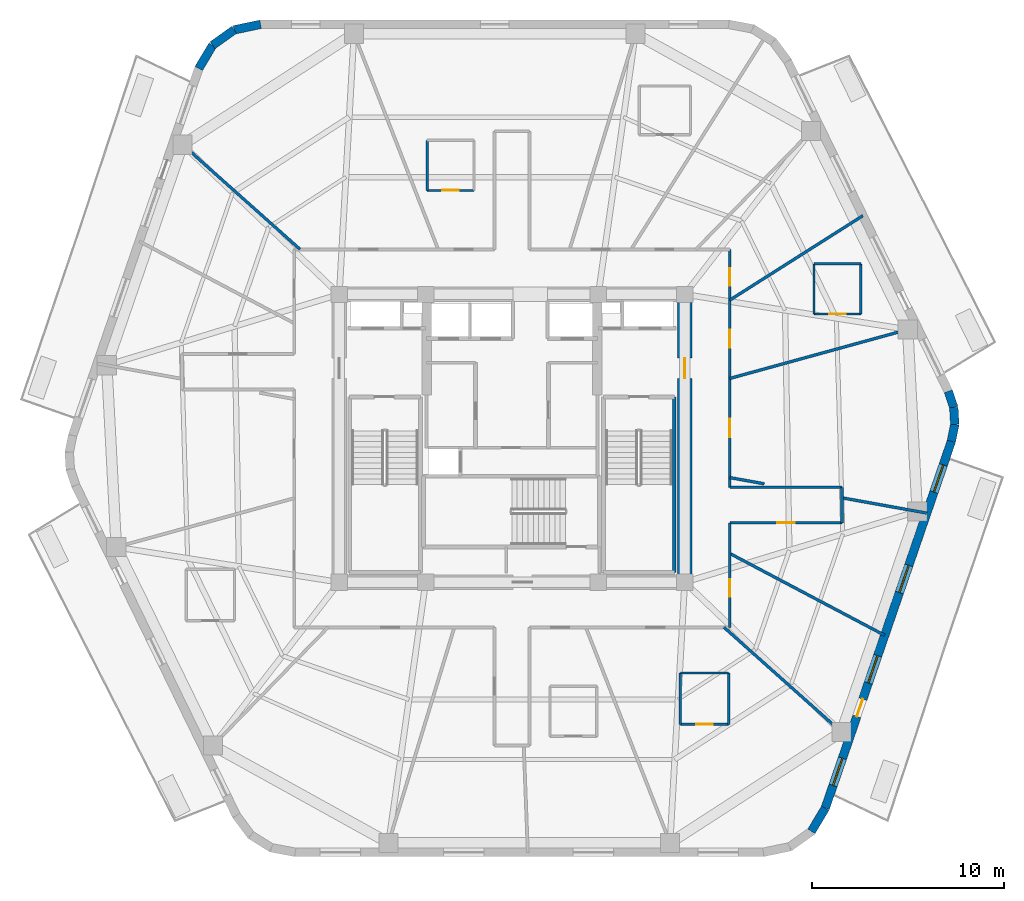
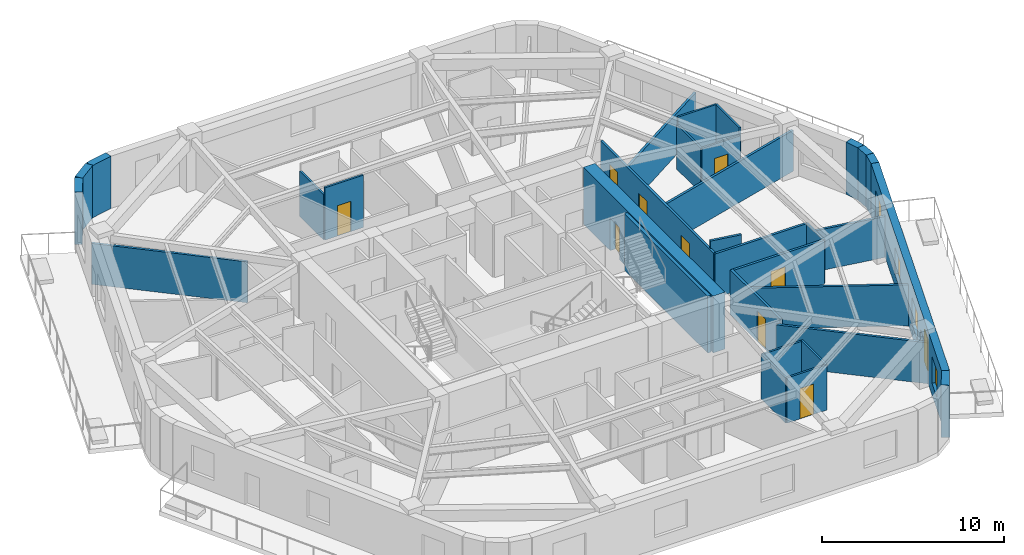
# One storey, part 5 of 9: 32 walls, 10 doors, 4 windows, 14 openings.
"""IFC4 building model written with IfcOpenShell, lengths in metres."""

from ifc_helpers import new_model, si_unit, direction, frame, frame_2d, origin, place, context, subcontext, project, spatial, rectangle, extrude, material, layer, layer_set, type_object, element, fill, save


model = new_model("IFC4")

# Units and contexts
model_context = context("Model", 3, precision=1e-05, world=origin(), true_north=direction((0.0, 1.0)))
body_context = subcontext(model_context, "Body", "Model", "MODEL_VIEW")
ifc_project = project(units=[si_unit("LENGTHUNIT", "METRE"), si_unit("AREAUNIT", "SQUARE_METRE"), si_unit("VOLUMEUNIT", "CUBIC_METRE"), si_unit("PLANEANGLEUNIT", "RADIAN"), si_unit("MASSUNIT", "GRAM", prefix="KILO")], contexts=[model_context])

# Site, building, storey
site_placement = place(None, origin())
site = spatial("IfcSite", under=ifc_project, at=site_placement, CompositionType="ELEMENT")
building_placement = place(site_placement, origin())
building = spatial("IfcBuilding", under=site, at=building_placement, Name="Kilnhurst Terrace Hotel", CompositionType="ELEMENT")
storey_placement = place(building_placement, frame((0.0, 0.0, 233.10009765625)))
storey = spatial("IfcBuildingStorey", under=building, at=storey_placement, Name="L58", CompositionType="ELEMENT", Elevation=233.10009765625)

# Walls
ifc_material_1 = material(Name="Precast concrete C40/50", Category="concrete")
ifc_layer_1 = layer(ifc_material_1, 0.449951171875, Name="Precast concrete C40/50")
ifc_layer_set_1 = layer_set([ifc_layer_1], Name="Precast concrete C40/50")
wall_type_1 = type_object("IfcWallType", Name="WL-BRK-450", PredefinedType="SOLIDWALL", material=ifc_layer_set_1)
wall_1_placement = place(storey_placement, frame((15.603515625, -20.483154296875, 0.0), z_axis=(0.0, 0.0, 1.0), x_axis=(0.512222149036, 0.858852996756, 0.0)))
element("IfcWall", 1, at=wall_1_placement, inside=storey, type_object=wall_type_1, Name="L58 Rounded Corner Brick Wall C2.3", PredefinedType="SOLIDWALL", context=body_context, shape_type="SweptSolid", body=[
    extrude(rectangle(XDim=1.406494140625, YDim=0.449951171875, at=frame_2d((0.703125, 0.0))), origin(), (0.0, 0.0, 1.0), 3.5),
])
wall_2_placement = place(storey_placement, frame((22.8984375, -0.149658203125, 0.0), z_axis=(0.0, 0.0, 1.0), x_axis=(0.199055826889, 0.979988151858, 0.0)))
element("IfcWall", 2, at=wall_2_placement, inside=storey, type_object=wall_type_1, Name="L58 Rounded Corner Brick Wall C3.1", PredefinedType="SOLIDWALL", context=body_context, shape_type="SweptSolid", body=[
    extrude(rectangle(XDim=0.89404296875, YDim=0.449951171875, at=frame_2d((0.447021484375, 0.0))), origin(), (0.0, 0.0, 1.0), 3.5),
])
wall_3_placement = place(storey_placement, frame((23.076416015625, 0.7265625, 0.0), z_axis=(0.0, 0.0, 1.0), x_axis=(-0.060805222108, 0.998149650586, 0.0)))
element("IfcWall", 3, at=wall_3_placement, inside=storey, type_object=wall_type_1, Name="L58 Rounded Corner Brick Wall C3.2", PredefinedType="SOLIDWALL", context=body_context, shape_type="SweptSolid", body=[
    extrude(rectangle(XDim=0.87939453125, YDim=0.449951171875, at=frame_2d((0.439697265625, 0.0))), origin(), (0.0, 0.0, 1.0), 3.5),
])
wall_4_placement = place(storey_placement, frame((23.02294921875, 1.604248046875, 0.0), z_axis=(0.0, 0.0, 1.0), x_axis=(-0.316801227695, 0.948491951537, 0.0)))
element("IfcWall", 4, at=wall_4_placement, inside=storey, type_object=wall_type_1, Name="L58 Rounded Corner Brick Wall C3.3", PredefinedType="SOLIDWALL", context=body_context, shape_type="SweptSolid", body=[
    extrude(rectangle(XDim=0.89404296875, YDim=0.449951171875, at=frame_2d((0.447021484375, 0.0))), origin(), (0.0, 0.0, 1.0), 3.5),
])
wall_5_placement = place(storey_placement, frame((-13.1015625, 21.574951171875, 0.0), z_axis=(0.0, 0.0, 1.0), x_axis=(-0.978757421505, -0.205021730188, 0.0)))
element("IfcWall", 5, at=wall_5_placement, inside=storey, type_object=wall_type_1, Name="L58 Rounded Corner Brick Wall C5.1", PredefinedType="SOLIDWALL", context=body_context, shape_type="SweptSolid", body=[
    extrude(rectangle(XDim=1.40625, YDim=0.449951171875, at=frame_2d((0.703125, 0.0))), origin(), (0.0, 0.0, 1.0), 3.5),
])
wall_6_placement = place(storey_placement, frame((-14.47802734375, 21.28662109375, 0.0), z_axis=(0.0, 0.0, 1.0), x_axis=(-0.813888518617, -0.58102106611, 0.0)))
element("IfcWall", 6, at=wall_6_placement, inside=storey, type_object=wall_type_1, Name="L58 Rounded Corner Brick Wall C5.2", PredefinedType="SOLIDWALL", context=body_context, shape_type="SweptSolid", body=[
    extrude(rectangle(XDim=1.3828125, YDim=0.449951171875, at=frame_2d((0.69140625, 0.0))), origin(), (0.0, 0.0, 1.0), 3.5),
])
wall_7_placement = place(storey_placement, frame((-15.603515625, 20.483154296875, 0.0), z_axis=(0.0, 0.0, 1.0), x_axis=(-0.512222149036, -0.858852996756, 0.0)))
element("IfcWall", 7, at=wall_7_placement, inside=storey, type_object=wall_type_1, Name="L58 Rounded Corner Brick Wall C5.3", PredefinedType="SOLIDWALL", context=body_context, shape_type="SweptSolid", body=[
    extrude(rectangle(XDim=1.406494140625, YDim=0.449951171875, at=frame_2d((0.703125, 0.0))), origin(), (0.0, 0.0, 1.0), 3.5),
])

# Wall, openings, door, windows
wall_8_placement = place(storey_placement, frame((16.323974609375, -19.275146484375, 0.0), z_axis=(0.0, 0.0, 1.0), x_axis=(0.325083142304, 0.945685439557, 0.0)))
wall_8 = element("IfcWall", 8, at=wall_8_placement, inside=storey, type_object=wall_type_1, Name="L58 Exterior Brick Facade Wall F2", PredefinedType="SOLIDWALL", context=body_context, shape_type="SweptSolid", body=[
    extrude(rectangle(XDim=20.223876953125, YDim=0.449951171875, at=frame_2d((10.11181640625, 0.0))), origin(), (0.0, 0.0, 1.0), 3.5),
])
opening_1_placement = place(wall_8_placement, frame((5.06201171875, 0.0, 0.0)))
opening_1 = element("IfcOpeningElement", 9, at=opening_1_placement, cuts=wall_8, Name="Opening BD-950", PredefinedType="OPENING", context=body_context, shape_type="SweptSolid", body=[
    extrude(rectangle(XDim=0.949951171875, YDim=2.14990234375, at=frame_2d((0.47509765625, 1.074951171875))), frame((0.0, 0.23486328125, 0.0), z_axis=(0.0, -1.0, 0.0), x_axis=(1.0, 0.0, 0.0)), (0.0, 0.0, 1.0), 0.469970703125),
])
opening_2_placement = place(wall_8_placement, frame((1.2529296875, 0.0, 0.800048828125)))
opening_2 = element("IfcOpeningElement", 10, at=opening_2_placement, cuts=wall_8, Name="Opening W-02", PredefinedType="OPENING", context=body_context, shape_type="SweptSolid", body=[
    extrude(rectangle(XDim=1.5, YDim=1.800048828125, at=frame_2d((0.75, 0.89990234375))), frame((0.0, 0.23486328125, 0.0), z_axis=(0.0, -1.0, 0.0), x_axis=(1.0, 0.0, 0.0)), (0.0, 0.0, 1.0), 0.469970703125),
])
opening_3_placement = place(wall_8_placement, frame((6.904052734375, 0.0, 0.800048828125)))
opening_3 = element("IfcOpeningElement", 11, at=opening_3_placement, cuts=wall_8, Name="Opening W-02", PredefinedType="OPENING", context=body_context, shape_type="SweptSolid", body=[
    extrude(rectangle(XDim=1.5, YDim=1.800048828125, at=frame_2d((0.75, 0.89990234375))), frame((0.0, 0.23486328125, 0.0), z_axis=(0.0, -1.0, 0.0), x_axis=(1.0, 0.0, 0.0)), (0.0, 0.0, 1.0), 0.469970703125),
])
opening_4_placement = place(wall_8_placement, frame((11.885009765625, 0.0, 0.800048828125)))
opening_4 = element("IfcOpeningElement", 12, at=opening_4_placement, cuts=wall_8, Name="Opening W-02", PredefinedType="OPENING", context=body_context, shape_type="SweptSolid", body=[
    extrude(rectangle(XDim=1.5, YDim=1.800048828125, at=frame_2d((0.75, 0.89990234375))), frame((0.0, 0.23486328125, 0.0), z_axis=(0.0, -1.0, 0.0), x_axis=(1.0, 0.0, 0.0)), (0.0, 0.0, 1.0), 0.469970703125),
])
opening_5_placement = place(wall_8_placement, frame((17.41796875, 0.0, 0.800048828125)))
opening_5 = element("IfcOpeningElement", 13, at=opening_5_placement, cuts=wall_8, Name="Opening W-02", PredefinedType="OPENING", context=body_context, shape_type="SweptSolid", body=[
    extrude(rectangle(XDim=1.5, YDim=1.800048828125, at=frame_2d((0.75, 0.89990234375))), frame((0.0, 0.23486328125, 0.0), z_axis=(0.0, -1.0, 0.0), x_axis=(1.0, 0.0, 0.0)), (0.0, 0.0, 1.0), 0.469970703125),
])
ifc_material_2 = material(Name="Thermally Broken Bronze Aluminium Alloy 6063-T6 and Laminated Glass", Category="aluminium")
door_type_1 = type_object("IfcDoorType", Name="DR-EXT-BAL-950", OperationType="NOTDEFINED", PredefinedType="DOOR", material=ifc_material_2)
door_1_placement = place(opening_1_placement, origin())
door_1 = element("IfcDoor", 14, at=door_1_placement, inside=storey, type_object=door_type_1, Name="L58 Planted Balcony Door BAL-L1A", OperationType="SINGLE_SWING_RIGHT", OverallHeight=2.14990234375, OverallWidth=0.949951171875, PredefinedType="DOOR", context=body_context, shape_type="SweptSolid", body=[
    extrude(rectangle(XDim=0.949951171875, YDim=2.14990234375, at=frame_2d((0.47509765625, 1.074951171875))), frame((0.0, 0.02490234375, 0.0), z_axis=(0.0, -1.0, 0.0), x_axis=(1.0, 0.0, 0.0)), (0.0, 0.0, 1.0), 0.050048828125),
])
fill(opening_1, door_1)
ifc_material_3 = material(Name="Thermally Broken Bronze Aluminium Alloy 6063-T6 and Low-E Glass", Category="aluminium")
window_type = type_object("IfcWindowType", Name="WIN-1500X1800", PartitioningType="SINGLE_PANEL", PredefinedType="WINDOW", material=ifc_material_3)
window_1_placement = place(opening_2_placement, origin())
window_1 = element("IfcWindow", 15, at=window_1_placement, inside=storey, type_object=window_type, Name="L58 Deep-Set Masonry Window F2.1", OverallHeight=1.800048828125, OverallWidth=1.5, PartitioningType="SINGLE_PANEL", PredefinedType="WINDOW", context=body_context, shape_type="SweptSolid", body=[
    extrude(rectangle(XDim=1.5, YDim=1.800048828125, at=frame_2d((0.75, 0.89990234375))), frame((0.0, 0.030029296875, 0.0), z_axis=(0.0, -1.0, 0.0), x_axis=(1.0, 0.0, 0.0)), (0.0, 0.0, 1.0), 0.06005859375),
])
fill(opening_2, window_1)
window_2_placement = place(opening_3_placement, origin())
window_2 = element("IfcWindow", 16, at=window_2_placement, inside=storey, type_object=window_type, Name="L58 Deep-Set Masonry Window F2.2", OverallHeight=1.800048828125, OverallWidth=1.5, PartitioningType="SINGLE_PANEL", PredefinedType="WINDOW", context=body_context, shape_type="SweptSolid", body=[
    extrude(rectangle(XDim=1.5, YDim=1.800048828125, at=frame_2d((0.75, 0.89990234375))), frame((0.0, 0.030029296875, 0.0), z_axis=(0.0, -1.0, 0.0), x_axis=(1.0, 0.0, 0.0)), (0.0, 0.0, 1.0), 0.06005859375),
])
fill(opening_3, window_2)
window_3_placement = place(opening_4_placement, origin())
window_3 = element("IfcWindow", 17, at=window_3_placement, inside=storey, type_object=window_type, Name="L58 Deep-Set Masonry Window F2.3", OverallHeight=1.800048828125, OverallWidth=1.5, PartitioningType="SINGLE_PANEL", PredefinedType="WINDOW", context=body_context, shape_type="SweptSolid", body=[
    extrude(rectangle(XDim=1.5, YDim=1.800048828125, at=frame_2d((0.75, 0.89990234375))), frame((0.0, 0.030029296875, 0.0), z_axis=(0.0, -1.0, 0.0), x_axis=(1.0, 0.0, 0.0)), (0.0, 0.0, 1.0), 0.06005859375),
])
fill(opening_4, window_3)
window_4_placement = place(opening_5_placement, origin())
window_4 = element("IfcWindow", 18, at=window_4_placement, inside=storey, type_object=window_type, Name="L58 Deep-Set Masonry Window F2.4", OverallHeight=1.800048828125, OverallWidth=1.5, PartitioningType="SINGLE_PANEL", PredefinedType="WINDOW", context=body_context, shape_type="SweptSolid", body=[
    extrude(rectangle(XDim=1.5, YDim=1.800048828125, at=frame_2d((0.75, 0.89990234375))), frame((0.0, 0.030029296875, 0.0), z_axis=(0.0, -1.0, 0.0), x_axis=(1.0, 0.0, 0.0)), (0.0, 0.0, 1.0), 0.06005859375),
])
fill(opening_5, window_4)

# Wall, openings, doors
ifc_material_4 = material(Name="Acoustic Double-Gypsum Corridor Partition Assembly")
ifc_layer_2 = layer(ifc_material_4, 0.14990234375, Name="Acoustic Double-Gypsum Corridor Partition Assembly")
ifc_layer_set_2 = layer_set([ifc_layer_2], Name="Acoustic Double-Gypsum Corridor Partition Assembly")
wall_type_2 = type_object("IfcWallType", Name="WL-COR-150", PredefinedType="PARTITIONING", material=ifc_layer_set_2)
wall_9_placement = place(storey_placement, frame((11.35009765625, 9.85009765625, 0.0), z_axis=(0.0, 0.0, 1.0), x_axis=(0.0, -1.0, 0.0)))
wall_9 = element("IfcWall", 19, at=wall_9_placement, inside=storey, type_object=wall_type_2, Name="L58 Interior Wall WL-L58-COR-11", PredefinedType="PARTITIONING", context=body_context, shape_type="SweptSolid", body=[
    extrude(rectangle(XDim=12.400146484375, YDim=0.14990234375, at=frame_2d((6.2001953125, 0.0))), origin(), (0.0, 0.0, 1.0), 2.989990234375),
])
opening_6_placement = place(wall_9_placement, frame((4.19091796875, 0.0, 0.0)))
opening_6 = element("IfcOpeningElement", 20, at=opening_6_placement, cuts=wall_9, Name="Opening D-60B", PredefinedType="OPENING", context=body_context, shape_type="SweptSolid", body=[
    extrude(rectangle(XDim=0.949951171875, YDim=2.030029296875, at=frame_2d((0.47509765625, 1.01513671875))), frame((0.0, 0.0849609375, 0.0), z_axis=(0.0, -1.0, 0.0), x_axis=(1.0, 0.0, 0.0)), (0.0, 0.0, 1.0), 0.169921875),
])
opening_7_placement = place(wall_9_placement, frame((0.993896484375, 0.0, 0.0)))
opening_7 = element("IfcOpeningElement", 21, at=opening_7_placement, cuts=wall_9, Name="Opening D-60C", PredefinedType="OPENING", context=body_context, shape_type="SweptSolid", body=[
    extrude(rectangle(XDim=0.89990234375, YDim=2.030029296875, at=frame_2d((0.449951171875, 1.01513671875))), frame((0.0, 0.0849609375, 0.0), z_axis=(0.0, -1.0, 0.0), x_axis=(1.0, 0.0, 0.0)), (0.0, 0.0, 1.0), 0.169921875),
])
opening_8_placement = place(wall_9_placement, frame((8.8349609375, 0.0, 0.0)))
opening_8 = element("IfcOpeningElement", 22, at=opening_8_placement, cuts=wall_9, Name="Opening D-60B", PredefinedType="OPENING", context=body_context, shape_type="SweptSolid", body=[
    extrude(rectangle(XDim=0.949951171875, YDim=2.030029296875, at=frame_2d((0.47509765625, 1.01513671875))), frame((0.0, 0.0849609375, 0.0), z_axis=(0.0, -1.0, 0.0), x_axis=(1.0, 0.0, 0.0)), (0.0, 0.0, 1.0), 0.169921875),
])
ifc_material_5 = material(Name="Painted Solid-Core Service Fire Door")
door_type_2 = type_object("IfcDoorType", Name="DR-FD60-900", OperationType="NOTDEFINED", PredefinedType="DOOR", material=ifc_material_5)
door_2_placement = place(opening_7_placement, origin())
door_2 = element("IfcDoor", 23, at=door_2_placement, inside=storey, type_object=door_type_2, Name="L58 Private Study Salon Door 2", OperationType="SINGLE_SWING_RIGHT", OverallHeight=2.030029296875, OverallWidth=0.89990234375, PredefinedType="DOOR", context=body_context, shape_type="SweptSolid", body=[
    extrude(rectangle(XDim=0.89990234375, YDim=2.030029296875, at=frame_2d((0.449951171875, 1.01513671875))), frame((0.0, 0.02490234375, 0.0), z_axis=(0.0, -1.0, 0.0), x_axis=(1.0, 0.0, 0.0)), (0.0, 0.0, 1.0), 0.050048828125),
])
fill(opening_7, door_2)
ifc_material_6 = material(Name="Acoustic Walnut Veneer Solid-Core Fire Door")
door_type_3 = type_object("IfcDoorType", Name="DR-FD60-950", OperationType="NOTDEFINED", PredefinedType="DOOR", material=ifc_material_6)
door_3_placement = place(opening_6_placement, origin())
door_3 = element("IfcDoor", 24, at=door_3_placement, inside=storey, type_object=door_type_3, Name="L58 Guest Room Entry Door 1", OperationType="SINGLE_SWING_LEFT", OverallHeight=2.030029296875, OverallWidth=0.949951171875, PredefinedType="DOOR", context=body_context, shape_type="SweptSolid", body=[
    extrude(rectangle(XDim=0.949951171875, YDim=2.030029296875, at=frame_2d((0.47509765625, 1.01513671875))), frame((0.0, 0.02490234375, 0.0), z_axis=(0.0, -1.0, 0.0), x_axis=(1.0, 0.0, 0.0)), (0.0, 0.0, 1.0), 0.050048828125),
])
fill(opening_6, door_3)
door_4_placement = place(opening_8_placement, origin())
door_4 = element("IfcDoor", 25, at=door_4_placement, inside=storey, type_object=door_type_3, Name="L58 Wellness Spa Room Door", OperationType="SINGLE_SWING_LEFT", OverallHeight=2.030029296875, OverallWidth=0.949951171875, PredefinedType="DOOR", context=body_context, shape_type="SweptSolid", body=[
    extrude(rectangle(XDim=0.949951171875, YDim=2.030029296875, at=frame_2d((0.47509765625, 1.01513671875))), frame((0.0, 0.02490234375, 0.0), z_axis=(0.0, -1.0, 0.0), x_axis=(1.0, 0.0, 0.0)), (0.0, 0.0, 1.0), 0.050048828125),
])
fill(opening_8, door_4)

# Walls
wall_10_placement = place(storey_placement, frame((11.35009765625, -2.550048828125, 0.0), z_axis=(0.0, 0.0, 1.0), x_axis=(1.0, 0.0, 0.0)))
element("IfcWall", 26, at=wall_10_placement, inside=storey, type_object=wall_type_2, Name="L58 Interior Wall WL-L58-COR-12", PredefinedType="PARTITIONING", context=body_context, shape_type="SweptSolid", body=[
    extrude(rectangle(XDim=5.849853515625, YDim=0.14990234375, at=frame_2d((2.9248046875, 0.0))), origin(), (0.0, 0.0, 1.0), 2.940185546875),
])
wall_11_placement = place(storey_placement, frame((17.199951171875, -2.550048828125, 0.0), z_axis=(0.0, 0.0, 1.0), x_axis=(0.0, -1.0, 0.0)))
element("IfcWall", 27, at=wall_11_placement, inside=storey, type_object=wall_type_2, Name="L58 Interior Wall WL-L58-COR-13", PredefinedType="PARTITIONING", context=body_context, shape_type="SweptSolid", body=[
    extrude(rectangle(XDim=1.849853515625, YDim=0.14990234375, at=frame_2d((0.9248046875, 0.0))), origin(), (0.0, 0.0, 1.0), 2.940185546875),
])

# Wall, opening, door
wall_12_placement = place(storey_placement, frame((17.199951171875, -4.39990234375, 0.0), z_axis=(0.0, 0.0, 1.0), x_axis=(-1.0, 0.0, 0.0)))
wall_12 = element("IfcWall", 28, at=wall_12_placement, inside=storey, type_object=wall_type_2, Name="L58 Interior Wall WL-L58-COR-14", PredefinedType="PARTITIONING", context=body_context, shape_type="SweptSolid", body=[
    extrude(rectangle(XDim=5.849853515625, YDim=0.14990234375, at=frame_2d((2.9248046875, 0.0))), origin(), (0.0, 0.0, 1.0), 2.940185546875),
])
opening_9_placement = place(wall_12_placement, frame((2.47509765625, 0.0, 0.0)))
opening_9 = element("IfcOpeningElement", 29, at=opening_9_placement, cuts=wall_12, Name="Opening D-60C", PredefinedType="OPENING", context=body_context, shape_type="SweptSolid", body=[
    extrude(rectangle(XDim=0.89990234375, YDim=2.030029296875, at=frame_2d((0.449951171875, 1.01513671875))), frame((0.0, 0.0849609375, 0.0), z_axis=(0.0, -1.0, 0.0), x_axis=(1.0, 0.0, 0.0)), (0.0, 0.0, 1.0), 0.169921875),
])
door_5_placement = place(opening_9_placement, origin())
door_5 = element("IfcDoor", 30, at=door_5_placement, inside=storey, type_object=door_type_2, Name="L58 Executive Work Office Door 16", OperationType="SINGLE_SWING_RIGHT", OverallHeight=2.030029296875, OverallWidth=0.89990234375, PredefinedType="DOOR", context=body_context, shape_type="SweptSolid", body=[
    extrude(rectangle(XDim=0.89990234375, YDim=2.030029296875, at=frame_2d((0.449951171875, 1.01513671875))), frame((0.0, 0.02490234375, 0.0), z_axis=(0.0, -1.0, 0.0), x_axis=(1.0, 0.0, 0.0)), (0.0, 0.0, 1.0), 0.050048828125),
])
fill(opening_9, door_5)

wall_13_placement = place(storey_placement, frame((11.35009765625, -4.39990234375, 0.0), z_axis=(0.0, 0.0, 1.0), x_axis=(0.0, -1.0, 0.0)))
wall_13 = element("IfcWall", 31, at=wall_13_placement, inside=storey, type_object=wall_type_2, Name="L58 Interior Wall WL-L58-COR-15", PredefinedType="PARTITIONING", context=body_context, shape_type="SweptSolid", body=[
    extrude(rectangle(XDim=5.4501953125, YDim=0.14990234375, at=frame_2d((2.72509765625, 0.0))), origin(), (0.0, 0.0, 1.0), 2.989990234375),
])
opening_10_placement = place(wall_13_placement, frame((2.955078125, 0.0, 0.0)))
opening_10 = element("IfcOpeningElement", 32, at=opening_10_placement, cuts=wall_13, Name="Opening D-60C", PredefinedType="OPENING", context=body_context, shape_type="SweptSolid", body=[
    extrude(rectangle(XDim=0.89990234375, YDim=2.030029296875, at=frame_2d((0.449951171875, 1.01513671875))), frame((0.0, 0.0849609375, 0.0), z_axis=(0.0, -1.0, 0.0), x_axis=(1.0, 0.0, 0.0)), (0.0, 0.0, 1.0), 0.169921875),
])
door_6_placement = place(opening_10_placement, origin())
door_6 = element("IfcDoor", 33, at=door_6_placement, inside=storey, type_object=door_type_2, Name="L58 Private Tasting Dining Room Door 15", OperationType="SINGLE_SWING_LEFT", OverallHeight=2.030029296875, OverallWidth=0.89990234375, PredefinedType="DOOR", context=body_context, shape_type="SweptSolid", body=[
    extrude(rectangle(XDim=0.89990234375, YDim=2.030029296875, at=frame_2d((0.449951171875, 1.01513671875))), frame((0.0, 0.02490234375, 0.0), z_axis=(0.0, -1.0, 0.0), x_axis=(1.0, 0.0, 0.0)), (0.0, 0.0, 1.0), 0.050048828125),
])
fill(opening_10, door_6)

ifc_material_7 = material(Name="Concrete C60/75", Category="concrete")
ifc_layer_3 = layer(ifc_material_7, 0.75, Name="Concrete C60/75")
ifc_layer_set_3 = layer_set([ifc_layer_3], Name="Concrete C60/75")
wall_type_3 = type_object("IfcWallType", Name="WL-CORE-750", PredefinedType="SHEAR", material=ifc_layer_set_3)
wall_14_placement = place(storey_placement, frame((9.0, -7.125, 0.0), z_axis=(0.0, 0.0, 1.0), x_axis=(0.0, 1.0, 0.0)))
wall_14 = element("IfcWall", 34, at=wall_14_placement, inside=storey, type_object=wall_type_3, Name="L58 Core East Shear Wall", PredefinedType="SHEAR", context=body_context, shape_type="SweptSolid", body=[
    extrude(rectangle(XDim=14.25, YDim=0.75, at=frame_2d((7.125, 0.0))), origin(), (0.0, 0.0, 1.0), 3.7998046875),
])
opening_11_placement = place(wall_14_placement, frame((10.25, 0.0, 0.0)))
opening_11 = element("IfcOpeningElement", 35, at=opening_11_placement, cuts=wall_14, Name="Opening D-90A", PredefinedType="OPENING", context=body_context, shape_type="SweptSolid", body=[
    extrude(rectangle(XDim=1.050048828125, YDim=2.14990234375, at=frame_2d((0.52490234375, 1.074951171875))), frame((0.0, 0.385009765625, 0.0), z_axis=(0.0, -1.0, 0.0), x_axis=(1.0, 0.0, 0.0)), (0.0, 0.0, 1.0), 0.77001953125),
])
ifc_material_8 = material(Name="Painted Hollow Metal Steel ASTM A36 Fire Door", Category="steel")
door_type_4 = type_object("IfcDoorType", Name="DR-FD90-1050", OperationType="NOTDEFINED", PredefinedType="DOOR", material=ifc_material_8)
door_7_placement = place(opening_11_placement, origin())
door_7 = element("IfcDoor", 36, at=door_7_placement, inside=storey, type_object=door_type_4, Name="L58 East Firefighting Lobby Door", OperationType="SINGLE_SWING_LEFT", OverallHeight=2.14990234375, OverallWidth=1.050048828125, PredefinedType="DOOR", context=body_context, shape_type="SweptSolid", body=[
    extrude(rectangle(XDim=1.050048828125, YDim=2.14990234375, at=frame_2d((0.52490234375, 1.074951171875))), frame((0.0, 0.02490234375, 0.0), z_axis=(0.0, -1.0, 0.0), x_axis=(1.0, 0.0, 0.0)), (0.0, 0.0, 1.0), 0.050048828125),
])
fill(opening_11, door_7)

# Walls
ifc_material_9 = material(Name="STC-58 Acoustic Twin-Frame Guestroom Demising Partition")
ifc_layer_4 = layer(ifc_material_9, 0.14990234375, Name="STC-58 Acoustic Twin-Frame Guestroom Demising Partition")
ifc_layer_set_4 = layer_set([ifc_layer_4], Name="STC-58 Acoustic Twin-Frame Guestroom Demising Partition")
wall_type_4 = type_object("IfcWallType", Name="WL-DEM-150", PredefinedType="PARTITIONING", material=ifc_layer_set_4)
wall_15_placement = place(storey_placement, frame((11.35009765625, 3.12060546875, 0.0), z_axis=(0.0, 0.0, 1.0), x_axis=(0.964212793822, 0.265129568758, 0.0)))
element("IfcWall", 37, at=wall_15_placement, inside=storey, type_object=wall_type_4, Name="L58 Interior Wall WL-L58-DEM-COL01-01-1", PredefinedType="PARTITIONING", context=body_context, shape_type="SweptSolid", body=[
    extrude(rectangle(XDim=10.119873046875, YDim=0.14990234375, at=frame_2d((5.06005859375, 0.0))), origin(), (0.0, 0.0, 1.0), 2.739990234375),
])
wall_16_placement = place(storey_placement, frame((11.35009765625, 7.2021484375, 0.0), z_axis=(0.0, 0.0, 1.0), x_axis=(0.844364592263, 0.535769013039, 0.0)))
element("IfcWall", 38, at=wall_16_placement, inside=storey, type_object=wall_type_4, Name="L58 Interior Wall WL-L58-DEM-MID01-02-1", PredefinedType="PARTITIONING", context=body_context, shape_type="SweptSolid", body=[
    extrude(rectangle(XDim=8.212646484375, YDim=0.14990234375, at=frame_2d((4.1064453125, 0.0))), origin(), (0.0, 0.0, 1.0), 2.739990234375),
])
for number, where, z_axis, x_axis, name in (
    (39, (-11.04833984375, 9.85009765625, 0.0), (0.0, 0.0, 1.0), (-0.746444434655, 0.665447748492, 0.0), "L58 Interior Wall WL-L58-DEM-COL05-07-1"),
    (40, (11.04833984375, -9.85009765625, 0.0), (0.0, 0.0, 1.0), (0.746444434655, -0.665447748492, 0.0), "L58 Interior Wall WL-L58-DEM-COL11-15-1"),
):
    element("IfcWall", number, at=place(storey_placement, frame(where, z_axis=z_axis, x_axis=x_axis)), inside=storey, type_object=wall_type_4, Name=name, PredefinedType="PARTITIONING", context=body_context, shape_type="SweptSolid", body=[
        extrude(rectangle(XDim=8.732177734375, YDim=0.14990234375, at=frame_2d((4.3662109375, 0.0))), origin(), (0.0, 0.0, 1.0), 2.739990234375),
    ])
wall_17_placement = place(storey_placement, frame((11.35009765625, -5.9990234375, 0.0), z_axis=(0.0, 0.0, 1.0), x_axis=(0.884112301724, -0.467274478161, 0.0)))
element("IfcWall", 41, at=wall_17_placement, inside=storey, type_object=wall_type_4, Name="L58 Interior Wall WL-L58-DEM-MID11-16-1", PredefinedType="PARTITIONING", context=body_context, shape_type="SweptSolid", body=[
    extrude(rectangle(XDim=9.129150390625, YDim=0.14990234375, at=frame_2d((4.564453125, 0.0))), origin(), (0.0, 0.0, 1.0), 2.739990234375),
])
wall_18_placement = place(storey_placement, frame((11.35009765625, -2.046142578125, 0.0), z_axis=(0.0, 0.0, 1.0), x_axis=(0.984127783205, -0.177461281195, 0.0)))
element("IfcWall", 42, at=wall_18_placement, inside=storey, type_object=wall_type_4, Name="L58 Interior Wall WL-L58-DEM-COL12-17-1", PredefinedType="PARTITIONING", context=body_context, shape_type="SweptSolid", body=[
    extrude(rectangle(XDim=1.82568359375, YDim=0.14990234375, at=frame_2d((0.912841796875, 0.0))), origin(), (0.0, 0.0, 1.0), 3.5),
])
wall_19_placement = place(storey_placement, frame((17.199951171875, -3.1005859375, 0.0), z_axis=(0.0, 0.0, 1.0), x_axis=(0.98413465883, -0.177423147559, 0.0)))
element("IfcWall", 43, at=wall_19_placement, inside=storey, type_object=wall_type_4, Name="L58 Interior Wall WL-L58-DEM-COL12-17-2", PredefinedType="PARTITIONING", context=body_context, shape_type="SweptSolid", body=[
    extrude(rectangle(XDim=4.481689453125, YDim=0.14990234375, at=frame_2d((2.24072265625, 0.0))), origin(), (0.0, 0.0, 1.0), 2.739990234375),
])

# Wall, opening, door
ifc_material_10 = material(Name="120 mm Moisture-Resistant Tile-Backed Bathroom Partition")
ifc_layer_5 = layer(ifc_material_10, 0.1201171875, Name="120 mm Moisture-Resistant Tile-Backed Bathroom Partition")
ifc_layer_set_5 = layer_set([ifc_layer_5], Name="120 mm Moisture-Resistant Tile-Backed Bathroom Partition")
wall_type_5 = type_object("IfcWallType", Name="WL-PART-120", PredefinedType="PARTITIONING", material=ifc_layer_set_5)
wall_20_placement = place(storey_placement, frame((15.736083984375, 6.47998046875, 0.0), z_axis=(0.0, 0.0, 1.0), x_axis=(1.0, 0.0, 0.0)))
wall_20 = element("IfcWall", 44, at=wall_20_placement, inside=storey, type_object=wall_type_5, Name="L58 Interior Wall WL-L58-BTH-01-1", PredefinedType="PARTITIONING", context=body_context, shape_type="SweptSolid", body=[
    extrude(rectangle(XDim=2.43994140625, YDim=0.1201171875, at=frame_2d((1.219970703125, 0.0))), origin(), (0.0, 0.0, 1.0), 2.989990234375),
])
opening_12_placement = place(wall_20_placement, frame((0.794921875, 0.0, 0.0)))
opening_12 = element("IfcOpeningElement", 45, at=opening_12_placement, cuts=wall_20, Name="Opening D-08A", PredefinedType="OPENING", context=body_context, shape_type="SweptSolid", body=[
    extrude(rectangle(XDim=0.85009765625, YDim=2.030029296875, at=frame_2d((0.425048828125, 1.01513671875))), frame((0.0, 0.070068359375, 0.0), z_axis=(0.0, -1.0, 0.0), x_axis=(1.0, 0.0, 0.0)), (0.0, 0.0, 1.0), 0.14013671875),
])
ifc_material_11 = material(Name="Moisture-Resistant Lacquered En-suite Bathroom Door")
door_type_5 = type_object("IfcDoorType", Name="DR-INT-850", OperationType="NOTDEFINED", PredefinedType="DOOR", material=ifc_material_11)
door_8_placement = place(opening_12_placement, origin())
door_8 = element("IfcDoor", 46, at=door_8_placement, inside=storey, type_object=door_type_5, Name="L58 En-suite Bathroom Door 1", OperationType="SINGLE_SWING_RIGHT", OverallHeight=2.030029296875, OverallWidth=0.85009765625, PredefinedType="DOOR", context=body_context, shape_type="SweptSolid", body=[
    extrude(rectangle(XDim=0.85009765625, YDim=2.030029296875, at=frame_2d((0.425048828125, 1.01513671875))), frame((0.0, 0.02490234375, 0.0), z_axis=(0.0, -1.0, 0.0), x_axis=(1.0, 0.0, 0.0)), (0.0, 0.0, 1.0), 0.050048828125),
])
fill(opening_12, door_8)

# Walls
wall_21_placement = place(storey_placement, frame((18.176025390625, 6.47998046875, 0.0), z_axis=(0.0, 0.0, 1.0), x_axis=(0.0, 1.0, 0.0)))
element("IfcWall", 47, at=wall_21_placement, inside=storey, type_object=wall_type_5, Name="L58 Interior Wall WL-L58-BTH-01-2", PredefinedType="PARTITIONING", context=body_context, shape_type="SweptSolid", body=[
    extrude(rectangle(XDim=2.610107421875, YDim=0.1201171875, at=frame_2d((1.30517578125, 0.0))), origin(), (0.0, 0.0, 1.0), 3.5),
])
wall_22_placement = place(storey_placement, frame((18.176025390625, 9.090087890625, 0.0), z_axis=(0.0, 0.0, 1.0), x_axis=(-1.0, 0.0, 0.0)))
element("IfcWall", 48, at=wall_22_placement, inside=storey, type_object=wall_type_5, Name="L58 Interior Wall WL-L58-BTH-01-3", PredefinedType="PARTITIONING", context=body_context, shape_type="SweptSolid", body=[
    extrude(rectangle(XDim=2.43994140625, YDim=0.1201171875, at=frame_2d((1.219970703125, 0.0))), origin(), (0.0, 0.0, 1.0), 3.5),
])
wall_23_placement = place(storey_placement, frame((15.736083984375, 9.090087890625, 0.0), z_axis=(0.0, 0.0, 1.0), x_axis=(0.0, -1.0, 0.0)))
element("IfcWall", 49, at=wall_23_placement, inside=storey, type_object=wall_type_5, Name="L58 Interior Wall WL-L58-BTH-01-4", PredefinedType="PARTITIONING", context=body_context, shape_type="SweptSolid", body=[
    extrude(rectangle(XDim=2.610107421875, YDim=0.1201171875, at=frame_2d((1.30517578125, 0.0))), origin(), (0.0, 0.0, 1.0), 2.989990234375),
])

# Wall, opening, door
wall_24_placement = place(storey_placement, frame((-4.41796875, 12.919921875, 0.0), z_axis=(0.0, 0.0, 1.0), x_axis=(1.0, 0.0, 0.0)))
wall_24 = element("IfcWall", 50, at=wall_24_placement, inside=storey, type_object=wall_type_5, Name="L58 Interior Wall WL-L58-BTH-05-1", PredefinedType="PARTITIONING", context=body_context, shape_type="SweptSolid", body=[
    extrude(rectangle(XDim=2.43994140625, YDim=0.1201171875, at=frame_2d((1.219970703125, 0.0))), origin(), (0.0, 0.0, 1.0), 3.5),
])
opening_13_placement = place(wall_24_placement, frame((0.794921875, 0.0, 0.0)))
opening_13 = element("IfcOpeningElement", 51, at=opening_13_placement, cuts=wall_24, Name="Opening D-08A", PredefinedType="OPENING", context=body_context, shape_type="SweptSolid", body=[
    extrude(rectangle(XDim=0.85009765625, YDim=2.030029296875, at=frame_2d((0.425048828125, 1.01513671875))), frame((0.0, 0.070068359375, 0.0), z_axis=(0.0, -1.0, 0.0), x_axis=(1.0, 0.0, 0.0)), (0.0, 0.0, 1.0), 0.14013671875),
])
door_9_placement = place(opening_13_placement, origin())
door_9 = element("IfcDoor", 52, at=door_9_placement, inside=storey, type_object=door_type_5, Name="L58 En-suite Bathroom Door 5", OperationType="SINGLE_SWING_RIGHT", OverallHeight=2.030029296875, OverallWidth=0.85009765625, PredefinedType="DOOR", context=body_context, shape_type="SweptSolid", body=[
    extrude(rectangle(XDim=0.85009765625, YDim=2.030029296875, at=frame_2d((0.425048828125, 1.01513671875))), frame((0.0, 0.02490234375, 0.0), z_axis=(0.0, -1.0, 0.0), x_axis=(1.0, 0.0, 0.0)), (0.0, 0.0, 1.0), 0.050048828125),
])
fill(opening_13, door_9)

# Wall
wall_25_placement = place(storey_placement, frame((-4.41796875, 15.530029296875, 0.0), z_axis=(0.0, 0.0, 1.0), x_axis=(0.0, -1.0, 0.0)))
element("IfcWall", 53, at=wall_25_placement, inside=storey, type_object=wall_type_5, Name="L58 Interior Wall WL-L58-BTH-05-4", PredefinedType="PARTITIONING", context=body_context, shape_type="SweptSolid", body=[
    extrude(rectangle(XDim=2.610107421875, YDim=0.1201171875, at=frame_2d((1.30517578125, 0.0))), origin(), (0.0, 0.0, 1.0), 3.0263671875),
])

# Wall, opening, door
wall_26_placement = place(storey_placement, frame((8.77197265625, -14.905029296875, 0.0), z_axis=(0.0, 0.0, 1.0), x_axis=(1.0, 0.0, 0.0)))
wall_26 = element("IfcWall", 54, at=wall_26_placement, inside=storey, type_object=wall_type_5, Name="L58 Interior Wall WL-L58-BTH-14-1", PredefinedType="PARTITIONING", context=body_context, shape_type="SweptSolid", body=[
    extrude(rectangle(XDim=2.52001953125, YDim=0.1201171875, at=frame_2d((1.260009765625, 0.0))), origin(), (0.0, 0.0, 1.0), 3.0263671875),
])
opening_14_placement = place(wall_26_placement, frame((0.8349609375, 0.0, 0.0)))
opening_14 = element("IfcOpeningElement", 55, at=opening_14_placement, cuts=wall_26, Name="Opening D-08A", PredefinedType="OPENING", context=body_context, shape_type="SweptSolid", body=[
    extrude(rectangle(XDim=0.85009765625, YDim=2.030029296875, at=frame_2d((0.425048828125, 1.01513671875))), frame((0.0, 0.070068359375, 0.0), z_axis=(0.0, -1.0, 0.0), x_axis=(1.0, 0.0, 0.0)), (0.0, 0.0, 1.0), 0.14013671875),
])
door_10_placement = place(opening_14_placement, origin())
door_10 = element("IfcDoor", 56, at=door_10_placement, inside=storey, type_object=door_type_5, Name="L58 En-suite Bathroom Door 14", OperationType="SINGLE_SWING_LEFT", OverallHeight=2.030029296875, OverallWidth=0.85009765625, PredefinedType="DOOR", context=body_context, shape_type="SweptSolid", body=[
    extrude(rectangle(XDim=0.85009765625, YDim=2.030029296875, at=frame_2d((0.425048828125, 1.01513671875))), frame((0.0, 0.02490234375, 0.0), z_axis=(0.0, -1.0, 0.0), x_axis=(1.0, 0.0, 0.0)), (0.0, 0.0, 1.0), 0.050048828125),
])
fill(opening_14, door_10)

# Walls
wall_27_placement = place(storey_placement, frame((11.2919921875, -14.905029296875, 0.0), z_axis=(0.0, 0.0, 1.0), x_axis=(0.0, 1.0, 0.0)))
element("IfcWall", 57, at=wall_27_placement, inside=storey, type_object=wall_type_5, Name="L58 Interior Wall WL-L58-BTH-14-2", PredefinedType="PARTITIONING", context=body_context, shape_type="SweptSolid", body=[
    extrude(rectangle(XDim=2.679931640625, YDim=0.1201171875, at=frame_2d((1.33984375, 0.0))), origin(), (0.0, 0.0, 1.0), 3.0263671875),
])
wall_28_placement = place(storey_placement, frame((11.2919921875, -12.22509765625, 0.0), z_axis=(0.0, 0.0, 1.0), x_axis=(-1.0, 0.0, 0.0)))
element("IfcWall", 58, at=wall_28_placement, inside=storey, type_object=wall_type_5, Name="L58 Interior Wall WL-L58-BTH-14-3", PredefinedType="PARTITIONING", context=body_context, shape_type="SweptSolid", body=[
    extrude(rectangle(XDim=2.52001953125, YDim=0.1201171875, at=frame_2d((1.260009765625, 0.0))), origin(), (0.0, 0.0, 1.0), 2.989990234375),
])
wall_29_placement = place(storey_placement, frame((8.77197265625, -12.22509765625, 0.0), z_axis=(0.0, 0.0, 1.0), x_axis=(0.0, -1.0, 0.0)))
element("IfcWall", 59, at=wall_29_placement, inside=storey, type_object=wall_type_5, Name="L58 Interior Wall WL-L58-BTH-14-4", PredefinedType="PARTITIONING", context=body_context, shape_type="SweptSolid", body=[
    extrude(rectangle(XDim=2.679931640625, YDim=0.1201171875, at=frame_2d((1.33984375, 0.0))), origin(), (0.0, 0.0, 1.0), 2.989990234375),
])
ifc_material_12 = material(Name="Concrete C50/60", Category="concrete")
ifc_layer_6 = layer(ifc_material_12, 0.199951171875, Name="Concrete C50/60")
ifc_layer_set_6 = layer_set([ifc_layer_6], Name="Concrete C50/60")
wall_type_6 = type_object("IfcWallType", Name="WL-STAIR-RC-200", PredefinedType="SHEAR", material=ifc_layer_set_6)
wall_30_placement = place(storey_placement, frame((8.4580078125, -6.985107421875, 0.0), z_axis=(0.0, 0.0, 1.0), x_axis=(0.0, 1.0, 0.0)))
element("IfcWall", 60, at=wall_30_placement, inside=storey, type_object=wall_type_6, Name="L58 Structural Stair Shaft Wall WL-L58-ST2-E", PredefinedType="SHEAR", context=body_context, shape_type="SweptSolid", body=[
    extrude(rectangle(XDim=9.14306640625, YDim=0.199951171875, at=frame_2d((4.571533203125, 0.0))), origin(), (0.0, 0.0, 1.0), 3.7998046875),
])

save(model, "model.ifc")
